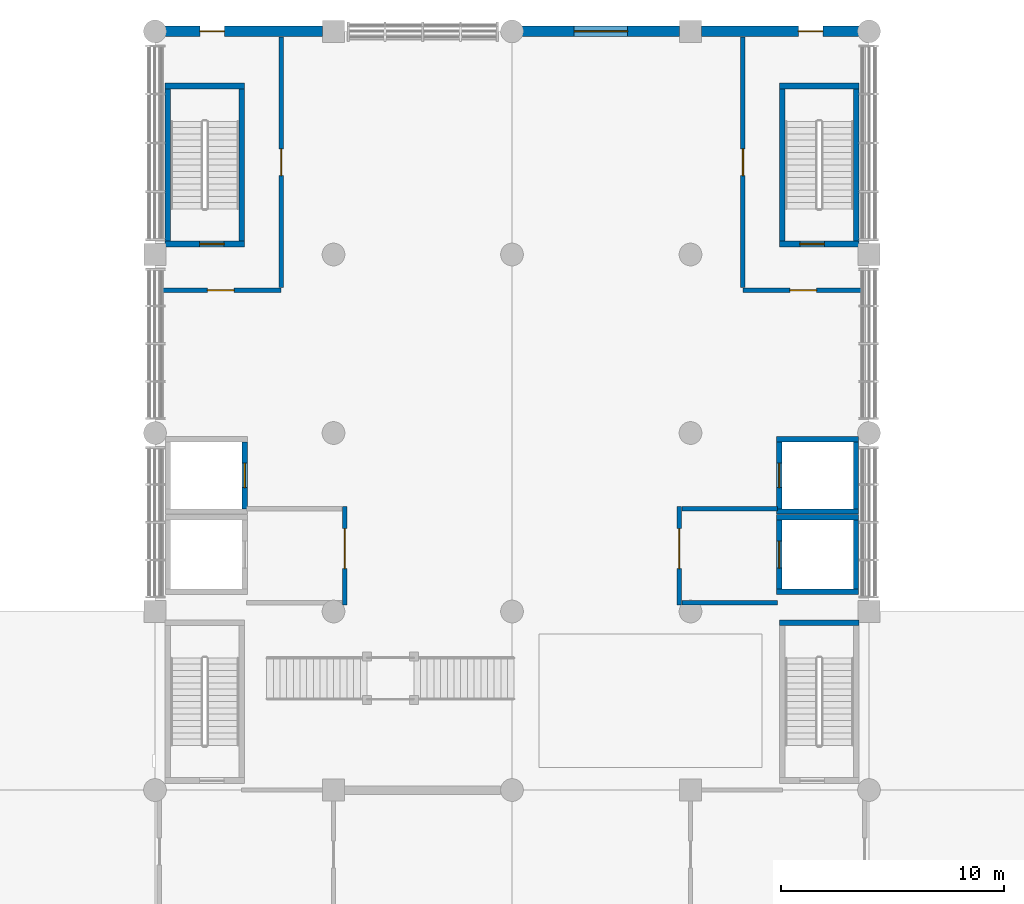
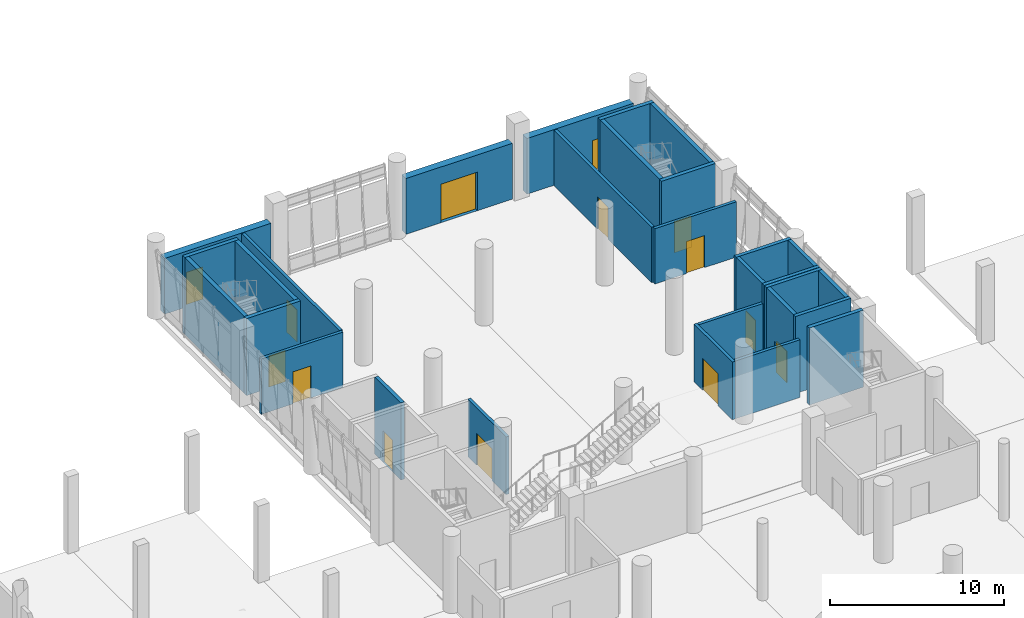
# One storey, part 27 of 42: 29 walls, 14 doors, 14 openings.
"""IFC4 building model written with IfcOpenShell, lengths in metres."""

from ifc_helpers import new_model, si_unit, direction, frame, frame_2d, origin, place, context, subcontext, project, spatial, rectangle, extrude, material, layer, layer_set, type_object, element, fill, save


model = new_model("IFC4")

# Units and contexts
model_context = context("Model", 3, precision=1e-05, world=origin(), true_north=direction((0.0, 1.0)))
body_context = subcontext(model_context, "Body", "Model", "MODEL_VIEW")
ifc_project = project(units=[si_unit("LENGTHUNIT", "METRE"), si_unit("AREAUNIT", "SQUARE_METRE"), si_unit("VOLUMEUNIT", "CUBIC_METRE"), si_unit("PLANEANGLEUNIT", "RADIAN"), si_unit("MASSUNIT", "GRAM", prefix="KILO")], contexts=[model_context])

# Site, building, storey
site_placement = place(None, origin())
site = spatial("IfcSite", under=ifc_project, at=site_placement, CompositionType="ELEMENT")
building_placement = place(site_placement, origin())
building = spatial("IfcBuilding", under=site, at=building_placement, Name="Pecanmere Concourse Central Library", CompositionType="ELEMENT")
storey_placement = place(building_placement, origin())
storey = spatial("IfcBuildingStorey", under=building, at=storey_placement, Name="L01", CompositionType="ELEMENT", Elevation=0.0)

# Wall, opening, door
ifc_material_1 = material(Name="Texas sunset granite ashlar", Category="masonry")
ifc_layer_1 = layer(ifc_material_1, 0.47998046875, Name="EW_GRAN_480")
ifc_layer_set_1 = layer_set([ifc_layer_1], Name="Texas sunset granite ashlar")
wall_type_1 = type_object("IfcWallType", Name="EW_GRAN_480", PredefinedType="STANDARD", material=ifc_layer_set_1)
wall_1_placement = place(storey_placement, frame((88.458984375, 124.0, 0.0), z_axis=(0.0, 0.0, 1.0), x_axis=(1.0, 0.0, 0.0)))
wall_1 = element("IfcWall", 1, at=wall_1_placement, inside=storey, type_object=wall_type_1, Name="Limestone Facade Wall L01-0001", PredefinedType="STANDARD", context=body_context, shape_type="SweptSolid", body=[
    extrude(rectangle(XDim=7.055908203125, YDim=0.47998046875, at=frame_2d((3.52783203125, 0.0))), origin(), (0.0, 0.0, 1.0), 3.909912109375),
])
opening_1_placement = place(wall_1_placement, frame((2.327880859375, 0.0, 0.0)))
opening_1 = element("IfcOpeningElement", 2, at=opening_1_placement, cuts=wall_1, Name="Opening ED-01", PredefinedType="OPENING", context=body_context, shape_type="SweptSolid", body=[
    extrude(rectangle(XDim=2.39990234375, YDim=2.699951171875, at=frame_2d((1.199951171875, 1.35009765625))), frame((0.0, 0.251953125, 0.0), z_axis=(0.0, -1.0, 0.0), x_axis=(1.0, 0.0, 0.0)), (0.0, 0.0, 1.0), 0.50390625),
])
ifc_material_2 = material(Name="Architectural anodized bronze")
door_type_1 = type_object("IfcDoorType", Name="ED-01", OperationType="DOUBLE_DOOR_SINGLE_SWING", PredefinedType="DOOR", material=ifc_material_2)
door_1_placement = place(opening_1_placement, origin())
door_1 = element("IfcDoor", 3, at=door_1_placement, inside=storey, type_object=door_type_1, Name="ED-001", OperationType="DOUBLE_DOOR_SINGLE_SWING", OverallHeight=2.699951171875, OverallWidth=2.39990234375, PredefinedType="DOOR", context=body_context, shape_type="SweptSolid", body=[
    extrude(rectangle(XDim=2.39990234375, YDim=2.699951171875, at=frame_2d((1.199951171875, 1.35009765625))), frame((0.0, 0.02490234375, 0.0), z_axis=(0.0, -1.0, 0.0), x_axis=(1.0, 0.0, 0.0)), (0.0, 0.0, 1.0), 0.050048828125),
])
fill(opening_1, door_1)

wall_2_placement = place(storey_placement, frame((72.458984375, 124.0, 0.0), z_axis=(0.0, 0.0, 1.0), x_axis=(1.0, 0.0, 0.0)))
wall_2 = element("IfcWall", 4, at=wall_2_placement, inside=storey, type_object=wall_type_1, Name="Limestone Facade Wall L01-0002", PredefinedType="STANDARD", context=body_context, shape_type="SweptSolid", body=[
    extrude(rectangle(XDim=7.055908203125, YDim=0.47998046875, at=frame_2d((3.52783203125, 0.0))), origin(), (0.0, 0.0, 1.0), 3.909912109375),
])
opening_2_placement = place(wall_2_placement, frame((1.550048828125, 0.0, 0.0)))
opening_2 = element("IfcOpeningElement", 5, at=opening_2_placement, cuts=wall_2, Name="Opening ED-04", PredefinedType="OPENING", context=body_context, shape_type="SweptSolid", body=[
    extrude(rectangle(XDim=1.10009765625, YDim=2.25, at=frame_2d((0.550048828125, 1.125))), frame((0.0, 0.251953125, 0.0), z_axis=(0.0, -1.0, 0.0), x_axis=(1.0, 0.0, 0.0)), (0.0, 0.0, 1.0), 0.50390625),
])
ifc_material_3 = material(Name="Anodized bronze aluminium alloy 6063-T6", Category="aluminium")
door_type_2 = type_object("IfcDoorType", Name="ED-04", OperationType="SINGLE_SWING_LEFT", PredefinedType="DOOR", material=ifc_material_3)
door_2_placement = place(opening_2_placement, origin())
door_2 = element("IfcDoor", 6, at=door_2_placement, inside=storey, type_object=door_type_2, Name="ED-002", OperationType="SINGLE_SWING_LEFT", OverallHeight=2.25, OverallWidth=1.10009765625, PredefinedType="DOOR", context=body_context, shape_type="SweptSolid", body=[
    extrude(rectangle(XDim=1.10009765625, YDim=2.25, at=frame_2d((0.550048828125, 1.125))), frame((0.0, 0.02490234375, 0.0), z_axis=(0.0, -1.0, 0.0), x_axis=(1.0, 0.0, 0.0)), (0.0, 0.0, 1.0), 0.050048828125),
])
fill(opening_2, door_2)

wall_3_placement = place(storey_placement, frame((96.485107421875, 124.0, 0.0), z_axis=(0.0, 0.0, 1.0), x_axis=(1.0, 0.0, 0.0)))
wall_3 = element("IfcWall", 7, at=wall_3_placement, inside=storey, type_object=wall_type_1, Name="Limestone Facade Wall L01-0003", PredefinedType="STANDARD", context=body_context, shape_type="SweptSolid", body=[
    extrude(rectangle(XDim=7.055908203125, YDim=0.47998046875, at=frame_2d((3.52783203125, 0.0))), origin(), (0.0, 0.0, 1.0), 3.909912109375),
])
opening_3_placement = place(wall_3_placement, frame((4.35009765625, 0.0, 0.0)))
opening_3 = element("IfcOpeningElement", 8, at=opening_3_placement, cuts=wall_3, Name="Opening ED-04", PredefinedType="OPENING", context=body_context, shape_type="SweptSolid", body=[
    extrude(rectangle(XDim=1.10009765625, YDim=2.25, at=frame_2d((0.550048828125, 1.125))), frame((0.0, 0.251953125, 0.0), z_axis=(0.0, -1.0, 0.0), x_axis=(1.0, 0.0, 0.0)), (0.0, 0.0, 1.0), 0.50390625),
])
door_3_placement = place(opening_3_placement, origin())
door_3 = element("IfcDoor", 9, at=door_3_placement, inside=storey, type_object=door_type_2, Name="ED-003", OperationType="SINGLE_SWING_LEFT", OverallHeight=2.25, OverallWidth=1.10009765625, PredefinedType="DOOR", context=body_context, shape_type="SweptSolid", body=[
    extrude(rectangle(XDim=1.10009765625, YDim=2.25, at=frame_2d((0.550048828125, 1.125))), frame((0.0, 0.02490234375, 0.0), z_axis=(0.0, -1.0, 0.0), x_axis=(1.0, 0.0, 0.0)), (0.0, 0.0, 1.0), 0.050048828125),
])
fill(opening_3, door_3)

ifc_material_4 = material(Name="Fire-rated gypsum board on acoustic steel stud", Category="steel")
ifc_layer_2 = layer(ifc_material_4, 0.199951171875, Name="IW_PART_200")
ifc_layer_set_2 = layer_set([ifc_layer_2], Name="Fire-rated gypsum board on acoustic steel stud")
wall_type_2 = type_object("IfcWallType", Name="IW_PART_200", PredefinedType="PARTITIONING", material=ifc_layer_set_2)
wall_4_placement = place(storey_placement, frame((80.5, 98.300048828125, 0.0), z_axis=(0.0, 0.0, 1.0), x_axis=(0.0, 1.0, 0.0)))
wall_4 = element("IfcWall", 10, at=wall_4_placement, inside=storey, type_object=wall_type_2, Name="Firefighting Lobby Door Wall W-L01", PredefinedType="PARTITIONING", context=body_context, shape_type="SweptSolid", body=[
    extrude(rectangle(XDim=4.39990234375, YDim=0.199951171875, at=frame_2d((2.199951171875, 0.0))), origin(), (0.0, 0.0, 1.0), 4.050048828125),
])
opening_4_placement = place(wall_4_placement, frame((1.6201171875, 0.0, 0.0)))
opening_4 = element("IfcOpeningElement", 11, at=opening_4_placement, cuts=wall_4, Name="Opening FD-03", PredefinedType="OPENING", context=body_context, shape_type="SweptSolid", body=[
    extrude(rectangle(XDim=1.800048828125, YDim=2.25, at=frame_2d((0.89990234375, 1.125))), frame((0.0, 0.11181640625, 0.0), z_axis=(0.0, -1.0, 0.0), x_axis=(1.0, 0.0, 0.0)), (0.0, 0.0, 1.0), 0.223876953125),
])
ifc_material_5 = material(Name="Painted architectural steel ASTM A36", Category="steel")
door_type_3 = type_object("IfcDoorType", Name="FD-03", OperationType="DOUBLE_DOOR_SINGLE_SWING", PredefinedType="DOOR", material=ifc_material_5)
door_4_placement = place(opening_4_placement, origin())
door_4 = element("IfcDoor", 12, at=door_4_placement, inside=storey, type_object=door_type_3, Name="D-111", OperationType="DOUBLE_DOOR_SINGLE_SWING", OverallHeight=2.25, OverallWidth=1.800048828125, PredefinedType="DOOR", context=body_context, shape_type="SweptSolid", body=[
    extrude(rectangle(XDim=1.800048828125, YDim=2.25, at=frame_2d((0.89990234375, 1.125))), frame((0.0, 0.02490234375, 0.0), z_axis=(0.0, -1.0, 0.0), x_axis=(1.0, 0.0, 0.0)), (0.0, 0.0, 1.0), 0.050048828125),
])
fill(opening_4, door_4)

# Walls
for number, where, z_axis, x_axis, name in (
    (13, (95.6201171875, 98.39990234375, 0.0), (0.0, 0.0, 1.0), (1.0, 0.0, 0.0), "Firefighting Lobby Wall E-L01-S"),
    (14, (95.6201171875, 102.60009765625, 0.0), (0.0, 0.0, 1.0), (1.0, 0.0, 0.0), "Firefighting Lobby Wall E-L01-N"),
):
    element("IfcWall", number, at=place(storey_placement, frame(where, z_axis=z_axis, x_axis=x_axis)), inside=storey, type_object=wall_type_2, Name=name, PredefinedType="PARTITIONING", context=body_context, shape_type="SweptSolid", body=[
        extrude(rectangle(XDim=4.27978515625, YDim=0.199951171875, at=frame_2d((2.139892578125, 0.0))), origin(), (0.0, 0.0, 1.0), 4.050048828125),
    ])

# Wall, opening, door
wall_5_placement = place(storey_placement, frame((95.5, 98.300048828125, 0.0), z_axis=(0.0, 0.0, 1.0), x_axis=(0.0, 1.0, 0.0)))
wall_5 = element("IfcWall", 15, at=wall_5_placement, inside=storey, type_object=wall_type_2, Name="Firefighting Lobby Door Wall E-L01", PredefinedType="PARTITIONING", context=body_context, shape_type="SweptSolid", body=[
    extrude(rectangle(XDim=4.39990234375, YDim=0.199951171875, at=frame_2d((2.199951171875, 0.0))), origin(), (0.0, 0.0, 1.0), 4.050048828125),
])
opening_5_placement = place(wall_5_placement, frame((1.6201171875, 0.0, 0.0)))
opening_5 = element("IfcOpeningElement", 16, at=opening_5_placement, cuts=wall_5, Name="Opening FD-03", PredefinedType="OPENING", context=body_context, shape_type="SweptSolid", body=[
    extrude(rectangle(XDim=1.800048828125, YDim=2.25, at=frame_2d((0.89990234375, 1.125))), frame((0.0, 0.11181640625, 0.0), z_axis=(0.0, -1.0, 0.0), x_axis=(1.0, 0.0, 0.0)), (0.0, 0.0, 1.0), 0.223876953125),
])
door_5_placement = place(opening_5_placement, origin())
door_5 = element("IfcDoor", 17, at=door_5_placement, inside=storey, type_object=door_type_3, Name="D-112", OperationType="DOUBLE_DOOR_SINGLE_SWING", OverallHeight=2.25, OverallWidth=1.800048828125, PredefinedType="DOOR", context=body_context, shape_type="SweptSolid", body=[
    extrude(rectangle(XDim=1.800048828125, YDim=2.25, at=frame_2d((0.89990234375, 1.125))), frame((0.0, 0.02490234375, 0.0), z_axis=(0.0, -1.0, 0.0), x_axis=(1.0, 0.0, 0.0)), (0.0, 0.0, 1.0), 0.050048828125),
])
fill(opening_5, door_5)

wall_6_placement = place(storey_placement, frame((72.25, 112.39990234375, 0.0), z_axis=(0.0, 0.0, 1.0), x_axis=(1.0, 0.0, 0.0)))
wall_6 = element("IfcWall", 18, at=wall_6_placement, inside=storey, type_object=wall_type_2, Name="Interior Partition L01-0060", PredefinedType="PARTITIONING", context=body_context, shape_type="SweptSolid", body=[
    extrude(rectangle(XDim=5.39990234375, YDim=0.199951171875, at=frame_2d((2.699951171875, 0.0))), origin(), (0.0, 0.0, 1.0), 3.8798828125),
])
opening_6_placement = place(wall_6_placement, frame((2.10009765625, 0.0, 0.0)))
opening_6 = element("IfcOpeningElement", 19, at=opening_6_placement, cuts=wall_6, Name="Opening FD-04", PredefinedType="OPENING", context=body_context, shape_type="SweptSolid", body=[
    extrude(rectangle(XDim=1.199951171875, YDim=2.25, at=frame_2d((0.60009765625, 1.125))), frame((0.0, 0.11181640625, 0.0), z_axis=(0.0, -1.0, 0.0), x_axis=(1.0, 0.0, 0.0)), (0.0, 0.0, 1.0), 0.223876953125),
])
ifc_material_6 = material(Name="Painted architectural steel ASTM A36", Category="steel")
door_type_4 = type_object("IfcDoorType", Name="FD-04", OperationType="SINGLE_SWING_LEFT", PredefinedType="DOOR", material=ifc_material_6)
door_6_placement = place(opening_6_placement, frame((1.199951171875, 0.0, 0.0), z_axis=(0.0, 0.0, 1.0), x_axis=(-1.0, 0.0, 0.0)))
door_6 = element("IfcDoor", 20, at=door_6_placement, inside=storey, type_object=door_type_4, Name="D-145", OperationType="SINGLE_SWING_LEFT", OverallHeight=2.25, OverallWidth=1.199951171875, PredefinedType="DOOR", context=body_context, shape_type="SweptSolid", body=[
    extrude(rectangle(XDim=1.199951171875, YDim=2.25, at=frame_2d((0.60009765625, 1.125))), frame((0.0, 0.02490234375, 0.0), z_axis=(0.0, -1.0, 0.0), x_axis=(1.0, 0.0, 0.0)), (0.0, 0.0, 1.0), 0.050048828125),
])
fill(opening_6, door_6)

wall_7_placement = place(storey_placement, frame((77.64990234375, 112.52001953125, 0.0), z_axis=(0.0, 0.0, 1.0), x_axis=(0.0, 1.0, 0.0)))
wall_7 = element("IfcWall", 21, at=wall_7_placement, inside=storey, type_object=wall_type_2, Name="Interior Partition L01-0061", PredefinedType="PARTITIONING", context=body_context, shape_type="SweptSolid", body=[
    extrude(rectangle(XDim=11.219970703125, YDim=0.199951171875, at=frame_2d((5.60986328125, 0.0))), origin(), (0.0, 0.0, 1.0), 3.8798828125),
])
opening_7_placement = place(wall_7_placement, frame((5.010009765625, 0.0, 0.0)))
opening_7 = element("IfcOpeningElement", 22, at=opening_7_placement, cuts=wall_7, Name="Opening FD-04", PredefinedType="OPENING", context=body_context, shape_type="SweptSolid", body=[
    extrude(rectangle(XDim=1.199951171875, YDim=2.25, at=frame_2d((0.60009765625, 1.125))), frame((0.0, 0.11181640625, 0.0), z_axis=(0.0, -1.0, 0.0), x_axis=(1.0, 0.0, 0.0)), (0.0, 0.0, 1.0), 0.223876953125),
])
door_7_placement = place(opening_7_placement, origin())
door_7 = element("IfcDoor", 23, at=door_7_placement, inside=storey, type_object=door_type_4, Name="D-146", OperationType="SINGLE_SWING_LEFT", OverallHeight=2.25, OverallWidth=1.199951171875, PredefinedType="DOOR", context=body_context, shape_type="SweptSolid", body=[
    extrude(rectangle(XDim=1.199951171875, YDim=2.25, at=frame_2d((0.60009765625, 1.125))), frame((0.0, 0.02490234375, 0.0), z_axis=(0.0, -1.0, 0.0), x_axis=(1.0, 0.0, 0.0)), (0.0, 0.0, 1.0), 0.050048828125),
])
fill(opening_7, door_7)

wall_8_placement = place(storey_placement, frame((98.35009765625, 112.39990234375, 0.0), z_axis=(0.0, 0.0, 1.0), x_axis=(1.0, 0.0, 0.0)))
wall_8 = element("IfcWall", 24, at=wall_8_placement, inside=storey, type_object=wall_type_2, Name="Interior Partition L01-0062", PredefinedType="PARTITIONING", context=body_context, shape_type="SweptSolid", body=[
    extrude(rectangle(XDim=5.39990234375, YDim=0.199951171875, at=frame_2d((2.699951171875, 0.0))), origin(), (0.0, 0.0, 1.0), 3.8798828125),
])
opening_8_placement = place(wall_8_placement, frame((2.10009765625, 0.0, 0.0)))
opening_8 = element("IfcOpeningElement", 25, at=opening_8_placement, cuts=wall_8, Name="Opening FD-04", PredefinedType="OPENING", context=body_context, shape_type="SweptSolid", body=[
    extrude(rectangle(XDim=1.199951171875, YDim=2.25, at=frame_2d((0.60009765625, 1.125))), frame((0.0, 0.11181640625, 0.0), z_axis=(0.0, -1.0, 0.0), x_axis=(1.0, 0.0, 0.0)), (0.0, 0.0, 1.0), 0.223876953125),
])
door_8_placement = place(opening_8_placement, frame((1.199951171875, 0.0, 0.0), z_axis=(0.0, 0.0, 1.0), x_axis=(-1.0, 0.0, 0.0)))
door_8 = element("IfcDoor", 26, at=door_8_placement, inside=storey, type_object=door_type_4, Name="D-147", OperationType="SINGLE_SWING_LEFT", OverallHeight=2.25, OverallWidth=1.199951171875, PredefinedType="DOOR", context=body_context, shape_type="SweptSolid", body=[
    extrude(rectangle(XDim=1.199951171875, YDim=2.25, at=frame_2d((0.60009765625, 1.125))), frame((0.0, 0.02490234375, 0.0), z_axis=(0.0, -1.0, 0.0), x_axis=(1.0, 0.0, 0.0)), (0.0, 0.0, 1.0), 0.050048828125),
])
fill(opening_8, door_8)

wall_9_placement = place(storey_placement, frame((98.35009765625, 112.52001953125, 0.0), z_axis=(0.0, 0.0, 1.0), x_axis=(0.0, 1.0, 0.0)))
wall_9 = element("IfcWall", 27, at=wall_9_placement, inside=storey, type_object=wall_type_2, Name="Interior Partition L01-0063", PredefinedType="PARTITIONING", context=body_context, shape_type="SweptSolid", body=[
    extrude(rectangle(XDim=11.219970703125, YDim=0.199951171875, at=frame_2d((5.60986328125, 0.0))), origin(), (0.0, 0.0, 1.0), 3.8798828125),
])
opening_9_placement = place(wall_9_placement, frame((5.010009765625, 0.0, 0.0)))
opening_9 = element("IfcOpeningElement", 28, at=opening_9_placement, cuts=wall_9, Name="Opening FD-04", PredefinedType="OPENING", context=body_context, shape_type="SweptSolid", body=[
    extrude(rectangle(XDim=1.199951171875, YDim=2.25, at=frame_2d((0.60009765625, 1.125))), frame((0.0, 0.11181640625, 0.0), z_axis=(0.0, -1.0, 0.0), x_axis=(1.0, 0.0, 0.0)), (0.0, 0.0, 1.0), 0.223876953125),
])
door_9_placement = place(opening_9_placement, origin())
door_9 = element("IfcDoor", 29, at=door_9_placement, inside=storey, type_object=door_type_4, Name="D-148", OperationType="SINGLE_SWING_LEFT", OverallHeight=2.25, OverallWidth=1.199951171875, PredefinedType="DOOR", context=body_context, shape_type="SweptSolid", body=[
    extrude(rectangle(XDim=1.199951171875, YDim=2.25, at=frame_2d((0.60009765625, 1.125))), frame((0.0, 0.02490234375, 0.0), z_axis=(0.0, -1.0, 0.0), x_axis=(1.0, 0.0, 0.0)), (0.0, 0.0, 1.0), 0.050048828125),
])
fill(opening_9, door_9)

ifc_material_7 = material(Name="Concrete C40/50", Category="concrete")
ifc_layer_3 = layer(ifc_material_7, 0.239990234375, Name="WALL_SLD_240")
ifc_layer_set_3 = layer_set([ifc_layer_3], Name="Concrete C40/50")
wall_type_3 = type_object("IfcWallType", Name="WALL_SLD_240", PredefinedType="SOLIDWALL", material=ifc_layer_set_3)
wall_10_placement = place(storey_placement, frame((76.02001953125, 102.60009765625, 0.0), z_axis=(0.0, 0.0, 1.0), x_axis=(0.0, 1.0, 0.0)))
wall_10 = element("IfcWall", 30, at=wall_10_placement, inside=storey, type_object=wall_type_3, Name="Hoistway Wall LP-01 L01-E", PredefinedType="SOLIDWALL", context=body_context, shape_type="SweptSolid", body=[
    extrude(rectangle(XDim=3.0, YDim=0.239990234375, at=frame_2d((1.5, 0.0))), origin(), (0.0, 0.0, 1.0), 5.39990234375),
])
opening_10_placement = place(wall_10_placement, frame((0.949951171875, 0.0, 0.0)))
opening_10 = element("IfcOpeningElement", 31, at=opening_10_placement, cuts=wall_10, Name="Opening LD-01", PredefinedType="OPENING", context=body_context, shape_type="SweptSolid", body=[
    extrude(rectangle(XDim=1.10009765625, YDim=2.199951171875, at=frame_2d((0.550048828125, 1.10009765625))), frame((0.0, 0.1318359375, 0.0), z_axis=(0.0, -1.0, 0.0), x_axis=(1.0, 0.0, 0.0)), (0.0, 0.0, 1.0), 0.263916015625),
])
ifc_material_8 = material(Name="Brushed stainless steel Grade 316", Category="steel")
door_type_5 = type_object("IfcDoorType", Name="LD-01", OperationType="DOUBLE_DOOR_SLIDING", PredefinedType="DOOR", material=ifc_material_8)
door_10_placement = place(opening_10_placement, origin())
door_10 = element("IfcDoor", 32, at=door_10_placement, inside=storey, type_object=door_type_5, Name="LD-LP-01-L01", OperationType="DOUBLE_DOOR_SLIDING", OverallHeight=2.199951171875, OverallWidth=1.10009765625, PredefinedType="DOOR", context=body_context, shape_type="SweptSolid", body=[
    extrude(rectangle(XDim=1.10009765625, YDim=2.199951171875, at=frame_2d((0.550048828125, 1.10009765625))), frame((0.0, 0.02490234375, 0.0), z_axis=(0.0, -1.0, 0.0), x_axis=(1.0, 0.0, 0.0)), (0.0, 0.0, 1.0), 0.050048828125),
])
fill(opening_10, door_10)

# Walls
for number, where, z_axis, x_axis, name in (
    (33, (99.860107421875, 98.8798828125, 0.0), (0.0, 0.0, 1.0), (1.0, 0.0, 0.0), "Hoistway Wall LF-02 L01-S"),
    (34, (99.860107421875, 102.219970703125, 0.0), (0.0, 0.0, 1.0), (1.0, 0.0, 0.0), "Hoistway Wall LF-02 L01-N"),
):
    element("IfcWall", number, at=place(storey_placement, frame(where, z_axis=z_axis, x_axis=x_axis)), inside=storey, type_object=wall_type_3, Name=name, PredefinedType="SOLIDWALL", context=body_context, shape_type="SweptSolid", body=[
        extrude(rectangle(XDim=3.679931640625, YDim=0.239990234375, at=frame_2d((1.83984375, 0.0))), origin(), (0.0, 0.0, 1.0), 5.39990234375),
    ])

# Wall, opening, door
wall_11_placement = place(storey_placement, frame((99.97998046875, 99.0, 0.0), z_axis=(0.0, 0.0, 1.0), x_axis=(0.0, 1.0, 0.0)))
wall_11 = element("IfcWall", 35, at=wall_11_placement, inside=storey, type_object=wall_type_3, Name="Hoistway Wall LF-02 L01-W", PredefinedType="SOLIDWALL", context=body_context, shape_type="SweptSolid", body=[
    extrude(rectangle(XDim=3.10009765625, YDim=0.239990234375, at=frame_2d((1.550048828125, 0.0))), origin(), (0.0, 0.0, 1.0), 5.39990234375),
])
opening_11_placement = place(wall_11_placement, frame((0.949951171875, 0.0, 0.0)))
opening_11 = element("IfcOpeningElement", 36, at=opening_11_placement, cuts=wall_11, Name="Opening LD-02", PredefinedType="OPENING", context=body_context, shape_type="SweptSolid", body=[
    extrude(rectangle(XDim=1.199951171875, YDim=2.199951171875, at=frame_2d((0.60009765625, 1.10009765625))), frame((0.0, 0.1318359375, 0.0), z_axis=(0.0, -1.0, 0.0), x_axis=(1.0, 0.0, 0.0)), (0.0, 0.0, 1.0), 0.263916015625),
])
ifc_material_9 = material(Name="Brushed stainless steel Grade 316", Category="steel")
door_type_6 = type_object("IfcDoorType", Name="LD-02", OperationType="DOUBLE_DOOR_SLIDING", PredefinedType="DOOR", material=ifc_material_9)
door_11_placement = place(opening_11_placement, origin())
door_11 = element("IfcDoor", 37, at=door_11_placement, inside=storey, type_object=door_type_6, Name="LD-LF-02-L01", OperationType="DOUBLE_DOOR_SLIDING", OverallHeight=2.199951171875, OverallWidth=1.199951171875, PredefinedType="DOOR", context=body_context, shape_type="SweptSolid", body=[
    extrude(rectangle(XDim=1.199951171875, YDim=2.199951171875, at=frame_2d((0.60009765625, 1.10009765625))), frame((0.0, 0.02490234375, 0.0), z_axis=(0.0, -1.0, 0.0), x_axis=(1.0, 0.0, 0.0)), (0.0, 0.0, 1.0), 0.050048828125),
])
fill(opening_11, door_11)

# Walls
wall_12_placement = place(storey_placement, frame((103.419921875, 99.0, 0.0), z_axis=(0.0, 0.0, 1.0), x_axis=(0.0, 1.0, 0.0)))
element("IfcWall", 38, at=wall_12_placement, inside=storey, type_object=wall_type_3, Name="Hoistway Wall LF-02 L01-E", PredefinedType="SOLIDWALL", context=body_context, shape_type="SweptSolid", body=[
    extrude(rectangle(XDim=3.10009765625, YDim=0.239990234375, at=frame_2d((1.550048828125, 0.0))), origin(), (0.0, 0.0, 1.0), 5.39990234375),
])
for number, where, z_axis, x_axis, name in (
    (39, (99.860107421875, 102.47998046875, 0.0), (0.0, 0.0, 1.0), (1.0, 0.0, 0.0), "Hoistway Wall LP-02 L01-S"),
    (40, (99.860107421875, 105.719970703125, 0.0), (0.0, 0.0, 1.0), (1.0, 0.0, 0.0), "Hoistway Wall LP-02 L01-N"),
):
    element("IfcWall", number, at=place(storey_placement, frame(where, z_axis=z_axis, x_axis=x_axis)), inside=storey, type_object=wall_type_3, Name=name, PredefinedType="SOLIDWALL", context=body_context, shape_type="SweptSolid", body=[
        extrude(rectangle(XDim=3.679931640625, YDim=0.239990234375, at=frame_2d((1.83984375, 0.0))), origin(), (0.0, 0.0, 1.0), 5.39990234375),
    ])

# Wall, opening, door
wall_13_placement = place(storey_placement, frame((99.97998046875, 102.60009765625, 0.0), z_axis=(0.0, 0.0, 1.0), x_axis=(0.0, 1.0, 0.0)))
wall_13 = element("IfcWall", 41, at=wall_13_placement, inside=storey, type_object=wall_type_3, Name="Hoistway Wall LP-02 L01-W", PredefinedType="SOLIDWALL", context=body_context, shape_type="SweptSolid", body=[
    extrude(rectangle(XDim=3.0, YDim=0.239990234375, at=frame_2d((1.5, 0.0))), origin(), (0.0, 0.0, 1.0), 5.39990234375),
])
opening_12_placement = place(wall_13_placement, frame((0.949951171875, 0.0, 0.0)))
opening_12 = element("IfcOpeningElement", 42, at=opening_12_placement, cuts=wall_13, Name="Opening LD-01", PredefinedType="OPENING", context=body_context, shape_type="SweptSolid", body=[
    extrude(rectangle(XDim=1.10009765625, YDim=2.199951171875, at=frame_2d((0.550048828125, 1.10009765625))), frame((0.0, 0.1318359375, 0.0), z_axis=(0.0, -1.0, 0.0), x_axis=(1.0, 0.0, 0.0)), (0.0, 0.0, 1.0), 0.263916015625),
])
door_12_placement = place(opening_12_placement, origin())
door_12 = element("IfcDoor", 43, at=door_12_placement, inside=storey, type_object=door_type_5, Name="LD-LP-02-L01", OperationType="DOUBLE_DOOR_SLIDING", OverallHeight=2.199951171875, OverallWidth=1.10009765625, PredefinedType="DOOR", context=body_context, shape_type="SweptSolid", body=[
    extrude(rectangle(XDim=1.10009765625, YDim=2.199951171875, at=frame_2d((0.550048828125, 1.10009765625))), frame((0.0, 0.02490234375, 0.0), z_axis=(0.0, -1.0, 0.0), x_axis=(1.0, 0.0, 0.0)), (0.0, 0.0, 1.0), 0.050048828125),
])
fill(opening_12, door_12)

# Walls
wall_14_placement = place(storey_placement, frame((103.419921875, 102.60009765625, 0.0), z_axis=(0.0, 0.0, 1.0), x_axis=(0.0, 1.0, 0.0)))
element("IfcWall", 44, at=wall_14_placement, inside=storey, type_object=wall_type_3, Name="Hoistway Wall LP-02 L01-E", PredefinedType="SOLIDWALL", context=body_context, shape_type="SweptSolid", body=[
    extrude(rectangle(XDim=3.0, YDim=0.239990234375, at=frame_2d((1.5, 0.0))), origin(), (0.0, 0.0, 1.0), 5.39990234375),
])
ifc_material_10 = material(Name="Concrete C40/50", Category="concrete")
ifc_layer_4 = layer(ifc_material_10, 0.260009765625, Name="WALL_SLD_260")
ifc_layer_set_4 = layer_set([ifc_layer_4], Name="Concrete C40/50")
wall_type_4 = type_object("IfcWallType", Name="WALL_SLD_260", PredefinedType="SOLIDWALL", material=ifc_layer_set_4)
wall_15_placement = place(storey_placement, frame((99.97998046875, 97.5, 0.0), z_axis=(0.0, 0.0, 1.0), x_axis=(1.0, 0.0, 0.0)))
element("IfcWall", 45, at=wall_15_placement, inside=storey, type_object=wall_type_4, Name="Core C2 North Wall L01", PredefinedType="SOLIDWALL", context=body_context, shape_type="SweptSolid", body=[
    extrude(rectangle(XDim=3.580078125, YDim=0.260009765625, at=frame_2d((1.7900390625, 0.0))), origin(), (0.0, 0.0, 1.0), 5.39990234375),
])

# Wall, opening, door
wall_16_placement = place(storey_placement, frame((72.43994140625, 114.469970703125, 0.0), z_axis=(0.0, 0.0, 1.0), x_axis=(1.0, 0.0, 0.0)))
wall_16 = element("IfcWall", 46, at=wall_16_placement, inside=storey, type_object=wall_type_4, Name="Core C3 South Wall L01", PredefinedType="SOLIDWALL", context=body_context, shape_type="SweptSolid", body=[
    extrude(rectangle(XDim=3.580078125, YDim=0.260009765625, at=frame_2d((1.7900390625, 0.0))), origin(), (0.0, 0.0, 1.0), 5.39990234375),
])
opening_13_placement = place(wall_16_placement, frame((1.56005859375, 0.0, 0.0)))
opening_13 = element("IfcOpeningElement", 47, at=opening_13_placement, cuts=wall_16, Name="Opening FD-01", PredefinedType="OPENING", context=body_context, shape_type="SweptSolid", body=[
    extrude(rectangle(XDim=1.10009765625, YDim=2.199951171875, at=frame_2d((0.550048828125, 1.10009765625))), frame((0.0, 0.14208984375, 0.0), z_axis=(0.0, -1.0, 0.0), x_axis=(1.0, 0.0, 0.0)), (0.0, 0.0, 1.0), 0.283935546875),
])
ifc_material_11 = material(Name="Painted architectural steel ASTM A36", Category="steel")
door_type_7 = type_object("IfcDoorType", Name="FD-01", OperationType="SINGLE_SWING_LEFT", PredefinedType="DOOR", material=ifc_material_11)
door_13_placement = place(opening_13_placement, frame((1.10009765625, 0.0, 0.0), z_axis=(0.0, 0.0, 1.0), x_axis=(-1.0, 0.0, 0.0)))
door_13 = element("IfcDoor", 48, at=door_13_placement, inside=storey, type_object=door_type_7, Name="D-018", OperationType="SINGLE_SWING_LEFT", OverallHeight=2.199951171875, OverallWidth=1.10009765625, PredefinedType="DOOR", context=body_context, shape_type="SweptSolid", body=[
    extrude(rectangle(XDim=1.10009765625, YDim=2.199951171875, at=frame_2d((0.550048828125, 1.10009765625))), frame((0.0, 0.02490234375, 0.0), z_axis=(0.0, -1.0, 0.0), x_axis=(1.0, 0.0, 0.0)), (0.0, 0.0, 1.0), 0.050048828125),
])
fill(opening_13, door_13)

# Walls
wall_17_placement = place(storey_placement, frame((72.43994140625, 121.550048828125, 0.0), z_axis=(0.0, 0.0, 1.0), x_axis=(1.0, 0.0, 0.0)))
element("IfcWall", 49, at=wall_17_placement, inside=storey, type_object=wall_type_4, Name="Core C3 North Wall L01", PredefinedType="SOLIDWALL", context=body_context, shape_type="SweptSolid", body=[
    extrude(rectangle(XDim=3.580078125, YDim=0.260009765625, at=frame_2d((1.7900390625, 0.0))), origin(), (0.0, 0.0, 1.0), 5.39990234375),
])
for number, where, z_axis, x_axis, name in (
    (50, (72.570068359375, 114.60009765625, 0.0), (0.0, 0.0, 1.0), (0.0, 1.0, 0.0), "Core C3 W Wall L01"),
    (51, (75.889892578125, 114.60009765625, 0.0), (0.0, 0.0, 1.0), (0.0, 1.0, 0.0), "Core C3 E Wall L01"),
):
    element("IfcWall", number, at=place(storey_placement, frame(where, z_axis=z_axis, x_axis=x_axis)), inside=storey, type_object=wall_type_4, Name=name, PredefinedType="SOLIDWALL", context=body_context, shape_type="SweptSolid", body=[
        extrude(rectangle(XDim=6.81982421875, YDim=0.260009765625, at=frame_2d((3.409912109375, 0.0))), origin(), (0.0, 0.0, 1.0), 5.39990234375),
    ])

# Wall, opening, door
wall_18_placement = place(storey_placement, frame((99.97998046875, 114.469970703125, 0.0), z_axis=(0.0, 0.0, 1.0), x_axis=(1.0, 0.0, 0.0)))
wall_18 = element("IfcWall", 52, at=wall_18_placement, inside=storey, type_object=wall_type_4, Name="Core C4 South Wall L01", PredefinedType="SOLIDWALL", context=body_context, shape_type="SweptSolid", body=[
    extrude(rectangle(XDim=3.580078125, YDim=0.260009765625, at=frame_2d((1.7900390625, 0.0))), origin(), (0.0, 0.0, 1.0), 5.39990234375),
])
opening_14_placement = place(wall_18_placement, frame((0.919921875, 0.0, 0.0)))
opening_14 = element("IfcOpeningElement", 53, at=opening_14_placement, cuts=wall_18, Name="Opening FD-02", PredefinedType="OPENING", context=body_context, shape_type="SweptSolid", body=[
    extrude(rectangle(XDim=1.10009765625, YDim=2.199951171875, at=frame_2d((0.550048828125, 1.10009765625))), frame((0.0, 0.14208984375, 0.0), z_axis=(0.0, -1.0, 0.0), x_axis=(1.0, 0.0, 0.0)), (0.0, 0.0, 1.0), 0.283935546875),
])
ifc_material_12 = material(Name="Painted architectural steel ASTM A36", Category="steel")
door_type_8 = type_object("IfcDoorType", Name="FD-02", OperationType="SINGLE_SWING_RIGHT", PredefinedType="DOOR", material=ifc_material_12)
door_14_placement = place(opening_14_placement, frame((1.10009765625, 0.0, 0.0), z_axis=(0.0, 0.0, 1.0), x_axis=(-1.0, 0.0, 0.0)))
door_14 = element("IfcDoor", 54, at=door_14_placement, inside=storey, type_object=door_type_8, Name="D-026", OperationType="SINGLE_SWING_RIGHT", OverallHeight=2.199951171875, OverallWidth=1.10009765625, PredefinedType="DOOR", context=body_context, shape_type="SweptSolid", body=[
    extrude(rectangle(XDim=1.10009765625, YDim=2.199951171875, at=frame_2d((0.550048828125, 1.10009765625))), frame((0.0, 0.02490234375, 0.0), z_axis=(0.0, -1.0, 0.0), x_axis=(1.0, 0.0, 0.0)), (0.0, 0.0, 1.0), 0.050048828125),
])
fill(opening_14, door_14)

# Walls
wall_19_placement = place(storey_placement, frame((99.97998046875, 121.550048828125, 0.0), z_axis=(0.0, 0.0, 1.0), x_axis=(1.0, 0.0, 0.0)))
element("IfcWall", 55, at=wall_19_placement, inside=storey, type_object=wall_type_4, Name="Core C4 North Wall L01", PredefinedType="SOLIDWALL", context=body_context, shape_type="SweptSolid", body=[
    extrude(rectangle(XDim=3.580078125, YDim=0.260009765625, at=frame_2d((1.7900390625, 0.0))), origin(), (0.0, 0.0, 1.0), 5.39990234375),
])
for number, where, z_axis, x_axis, name in (
    (56, (100.110107421875, 114.60009765625, 0.0), (0.0, 0.0, 1.0), (0.0, 1.0, 0.0), "Core C4 W Wall L01"),
    (57, (103.429931640625, 114.60009765625, 0.0), (0.0, 0.0, 1.0), (0.0, 1.0, 0.0), "Core C4 E Wall L01"),
):
    element("IfcWall", number, at=place(storey_placement, frame(where, z_axis=z_axis, x_axis=x_axis)), inside=storey, type_object=wall_type_4, Name=name, PredefinedType="SOLIDWALL", context=body_context, shape_type="SweptSolid", body=[
        extrude(rectangle(XDim=6.81982421875, YDim=0.260009765625, at=frame_2d((3.409912109375, 0.0))), origin(), (0.0, 0.0, 1.0), 5.39990234375),
    ])

save(model, "model.ifc")
